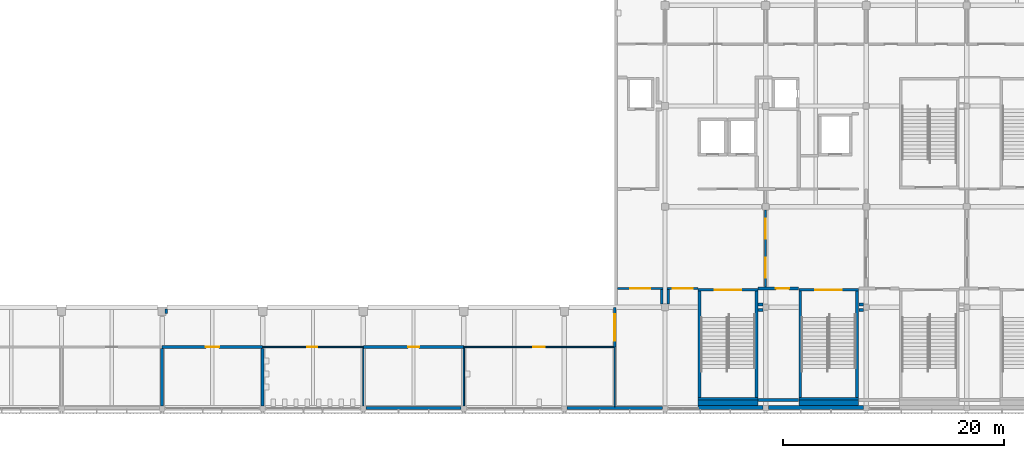
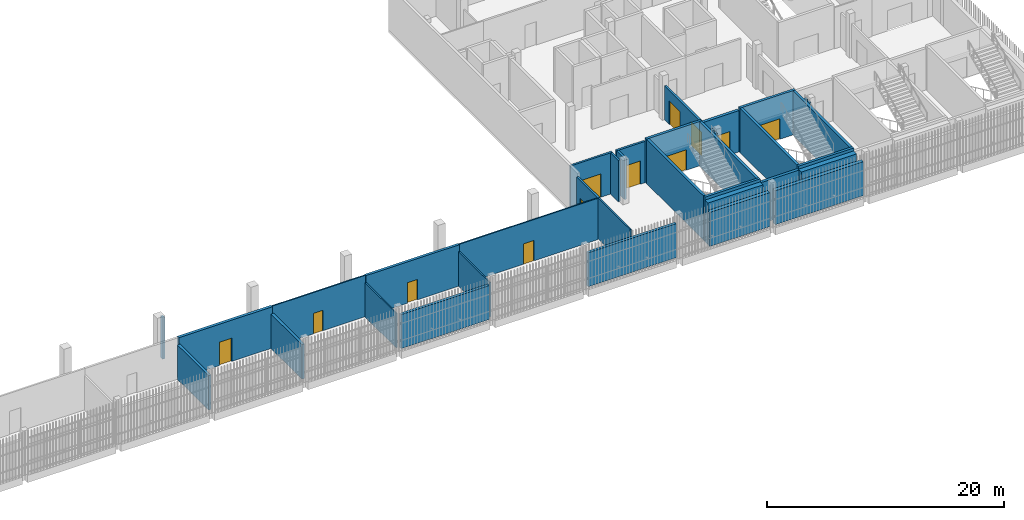
# One storey, part 70 of 124: 36 walls, 12 doors, 12 openings.
"""IFC4 building model written with IfcOpenShell, lengths in metres."""

from ifc_helpers import new_model, si_unit, direction, frame, frame_2d, origin, place, context, subcontext, project, spatial, rectangle, extrude, material, layer, layer_set, type_object, element, fill, save


model = new_model("IFC4")

# Units and contexts
model_context = context("Model", 3, precision=1e-05, world=origin(), true_north=direction((0.0, 1.0)))
body_context = subcontext(model_context, "Body", "Model", "MODEL_VIEW")
ifc_project = project(units=[si_unit("LENGTHUNIT", "METRE"), si_unit("AREAUNIT", "SQUARE_METRE"), si_unit("VOLUMEUNIT", "CUBIC_METRE"), si_unit("PLANEANGLEUNIT", "RADIAN"), si_unit("MASSUNIT", "GRAM", prefix="KILO")], contexts=[model_context])

# Site, building, storey
site_placement = place(None, origin())
site = spatial("IfcSite", under=ifc_project, at=site_placement, CompositionType="ELEMENT")
building_placement = place(site_placement, origin())
building = spatial("IfcBuilding", under=site, at=building_placement, Name="Shirokan Park Arena", CompositionType="ELEMENT")
storey_placement = place(building_placement, frame((0.0, 0.0, 20.02001953125)))
storey = spatial("IfcBuildingStorey", under=building, at=storey_placement, Name="L04", CompositionType="ELEMENT", Elevation=20.02001953125)

# Wall, opening, door
ifc_material_1 = material(Name="Plaster")
ifc_layer_1 = layer(ifc_material_1, 0.014892578125, Name="Plaster")
ifc_material_2 = material(Name="Concrete blockwork", Category="masonry")
ifc_layer_2 = layer(ifc_material_2, 0.219970703125, Name="Concrete blockwork 220")
ifc_layer_3 = layer(ifc_material_1, 0.014892578125, Name="Plaster")
ifc_layer_set_1 = layer_set([ifc_layer_1, ifc_layer_2, ifc_layer_3], Name="Plaster + Concrete blockwork 220")
wall_type_1 = type_object("IfcWallType", Name="Compartment wall 250", PredefinedType="SOLIDWALL", material=ifc_layer_set_1)
wall_1_placement = place(storey_placement, frame((91.0, 5.5, 0.0), z_axis=(0.0, 0.0, 1.0), x_axis=(-1.0, 0.0, 0.0)))
wall_1 = element("IfcWall", 1, at=wall_1_placement, inside=storey, type_object=wall_type_1, Name="Compartment wall 250 L04", PredefinedType="SOLIDWALL", context=body_context, shape_type="SweptSolid", body=[
    extrude(rectangle(XDim=9.10009765625, YDim=0.25, at=frame_2d((4.550048828125, 0.0))), origin(), (0.0, 0.0, 1.0), 4.25),
])
opening_1_placement = place(wall_1_placement, frame((4.050048828125, 0.0, 0.0)))
opening_1 = element("IfcOpeningElement", 2, at=opening_1_placement, cuts=wall_1, Name="Opening D-4065", PredefinedType="OPENING", context=body_context, shape_type="SweptSolid", body=[
    extrude(rectangle(XDim=1.0, YDim=2.10009765625, at=frame_2d((0.5, 1.050048828125))), frame((0.0, 0.135009765625, 0.0), z_axis=(0.0, -1.0, 0.0), x_axis=(1.0, 0.0, 0.0)), (0.0, 0.0, 1.0), 0.27001953125),
])
ifc_material_3 = material(Name="Timber door set, fire resisting", Category="wood")
door_type_1 = type_object("IfcDoorType", Name="Door 1000 x 2100", OperationType="SINGLE_SWING_LEFT", PredefinedType="DOOR", material=ifc_material_3)
door_1_placement = place(opening_1_placement, origin())
door_1 = element("IfcDoor", 3, at=door_1_placement, inside=storey, type_object=door_type_1, Name="Door to Operations Store 4.15 D-4065", OperationType="SINGLE_SWING_LEFT", OverallHeight=2.10009765625, OverallWidth=1.0, PredefinedType="DOOR", context=body_context, shape_type="SweptSolid", body=[
    extrude(rectangle(XDim=1.0, YDim=2.10009765625, at=frame_2d((0.5, 1.050048828125))), frame((0.0, 0.02490234375, 0.0), z_axis=(0.0, -1.0, 0.0), x_axis=(1.0, 0.0, 0.0)), (0.0, 0.0, 1.0), 0.050048828125),
])
fill(opening_1, door_1)

# Wall
ifc_material_4 = material(Name="Gypsum board")
ifc_layer_4 = layer(ifc_material_4, 0.02490234375, Name="Gypsum board, two layers")
ifc_material_5 = material(Name="Mineral wool insulation")
ifc_layer_5 = layer(ifc_material_5, 0.14990234375, Name="Mineral wool insulation")
ifc_layer_6 = layer(ifc_material_4, 0.02490234375, Name="Gypsum board, two layers")
ifc_layer_set_2 = layer_set([ifc_layer_4, ifc_layer_5, ifc_layer_6], Name="Gypsum board, two layers + Mineral wool insulation")
wall_type_2 = type_object("IfcWallType", Name="Corridor wall 200", PredefinedType="PARTITIONING", material=ifc_layer_set_2)
wall_2_placement = place(storey_placement, frame((64.074951171875, 8.550048828125, 0.0), z_axis=(0.0, 0.0, 1.0), x_axis=(0.0, 1.0, 0.0)))
element("IfcWall", 4, at=wall_2_placement, inside=storey, type_object=wall_type_2, Name="Corridor wall 200 L04", PredefinedType="PARTITIONING", context=body_context, shape_type="SweptSolid", body=[
    extrude(rectangle(XDim=0.375, YDim=0.199951171875, at=frame_2d((0.1875, 0.0))), origin(), (0.0, 0.0, 1.0), 4.25),
])

# Wall, opening, door
wall_3_placement = place(storey_placement, frame((104.64990234375, 5.5, 0.0), z_axis=(0.0, 0.0, 1.0), x_axis=(0.0, 1.0, 0.0)))
wall_3 = element("IfcWall", 5, at=wall_3_placement, inside=storey, type_object=wall_type_2, Name="Corridor wall 200 L04", PredefinedType="PARTITIONING", context=body_context, shape_type="SweptSolid", body=[
    extrude(rectangle(XDim=3.570068359375, YDim=0.199951171875, at=frame_2d((1.78515625, 0.0))), origin(), (0.0, 0.0, 1.0), 4.25),
])
opening_2_placement = place(wall_3_placement, frame((0.550048828125, 0.0, 0.0)))
opening_2 = element("IfcOpeningElement", 6, at=opening_2_placement, cuts=wall_3, Name="Opening D-4096", PredefinedType="OPENING", context=body_context, shape_type="SweptSolid", body=[
    extrude(rectangle(XDim=2.39990234375, YDim=2.39990234375, at=frame_2d((1.199951171875, 1.199951171875))), frame((0.0, 0.10986328125, 0.0), z_axis=(0.0, -1.0, 0.0), x_axis=(1.0, 0.0, 0.0)), (0.0, 0.0, 1.0), 0.219970703125),
])
ifc_material_6 = material(Name="Steel door set, fire resisting", Category="steel")
door_type_2 = type_object("IfcDoorType", Name="Double door 2400 x 2400", OperationType="DOUBLE_DOOR_SINGLE_SWING", PredefinedType="DOOR", material=ifc_material_6)
door_2_placement = place(opening_2_placement, origin())
door_2 = element("IfcDoor", 7, at=door_2_placement, inside=storey, type_object=door_type_2, Name="Door between Ring Link 2.4 and Operations Corridor 4.01 D-4096", OperationType="DOUBLE_DOOR_SINGLE_SWING", OverallHeight=2.39990234375, OverallWidth=2.39990234375, PredefinedType="DOOR", context=body_context, shape_type="SweptSolid", body=[
    extrude(rectangle(XDim=2.39990234375, YDim=2.39990234375, at=frame_2d((1.199951171875, 1.199951171875))), frame((0.0, 0.02490234375, 0.0), z_axis=(0.0, -1.0, 0.0), x_axis=(1.0, 0.0, 0.0)), (0.0, 0.0, 1.0), 0.050048828125),
])
fill(opening_2, door_2)

# Wall
wall_4_placement = place(storey_placement, frame((108.89990234375, 9.39990234375, 0.0), z_axis=(0.0, 0.0, 1.0), x_axis=(0.0, 1.0, 0.0)))
element("IfcWall", 8, at=wall_4_placement, inside=storey, type_object=wall_type_2, Name="Corridor wall 200 L04", PredefinedType="PARTITIONING", context=body_context, shape_type="SweptSolid", body=[
    extrude(rectangle(XDim=1.300048828125, YDim=0.199951171875, at=frame_2d((0.64990234375, 0.0))), origin(), (0.0, 0.0, 1.0), 4.25),
])

# Wall, opening, door
wall_5_placement = place(storey_placement, frame((109.0, 10.800048828125, 0.0), z_axis=(0.0, 0.0, 1.0), x_axis=(-1.0, 0.0, 0.0)))
wall_5 = element("IfcWall", 9, at=wall_5_placement, inside=storey, type_object=wall_type_2, Name="Corridor wall 200 L04", PredefinedType="PARTITIONING", context=body_context, shape_type="SweptSolid", body=[
    extrude(rectangle(XDim=4.10009765625, YDim=0.199951171875, at=frame_2d((2.050048828125, 0.0))), origin(), (0.0, 0.0, 1.0), 4.25),
])
opening_3_placement = place(wall_5_placement, frame((1.14990234375, 0.0, 0.0)))
opening_3 = element("IfcOpeningElement", 10, at=opening_3_placement, cuts=wall_5, Name="Opening D-4093", PredefinedType="OPENING", context=body_context, shape_type="SweptSolid", body=[
    extrude(rectangle(XDim=1.800048828125, YDim=2.39990234375, at=frame_2d((0.89990234375, 1.199951171875))), frame((0.0, 0.10986328125, 0.0), z_axis=(0.0, -1.0, 0.0), x_axis=(1.0, 0.0, 0.0)), (0.0, 0.0, 1.0), 0.219970703125),
])
ifc_material_7 = material(Name="Glazed steel door set, fire resisting", Category="steel")
door_type_3 = type_object("IfcDoorType", Name="Lift lobby door 1800 x 2400", OperationType="DOUBLE_DOOR_SINGLE_SWING", PredefinedType="DOOR", material=ifc_material_7)
door_3_placement = place(opening_3_placement, origin())
door_3 = element("IfcDoor", 11, at=door_3_placement, inside=storey, type_object=door_type_3, Name="Door between Broadcast Gallery 2.4.4 and Ring Link 2.4 D-4093", OperationType="DOUBLE_DOOR_SINGLE_SWING", OverallHeight=2.39990234375, OverallWidth=1.800048828125, PredefinedType="DOOR", context=body_context, shape_type="SweptSolid", body=[
    extrude(rectangle(XDim=1.800048828125, YDim=2.39990234375, at=frame_2d((0.89990234375, 1.199951171875))), frame((0.0, 0.02490234375, 0.0), z_axis=(0.0, -1.0, 0.0), x_axis=(1.0, 0.0, 0.0)), (0.0, 0.0, 1.0), 0.050048828125),
])
fill(opening_3, door_3)

# Wall
wall_6_placement = place(storey_placement, frame((109.5, 10.699951171875, 0.0), z_axis=(0.0, 0.0, 1.0), x_axis=(0.0, -1.0, 0.0)))
element("IfcWall", 12, at=wall_6_placement, inside=storey, type_object=wall_type_2, Name="Corridor wall 200 L04", PredefinedType="PARTITIONING", context=body_context, shape_type="SweptSolid", body=[
    extrude(rectangle(XDim=1.300048828125, YDim=0.199951171875, at=frame_2d((0.64990234375, 0.0))), origin(), (0.0, 0.0, 1.0), 4.25),
])

# Wall, opening, door
wall_7_placement = place(storey_placement, frame((112.169921875, 10.800048828125, 0.0), z_axis=(0.0, 0.0, 1.0), x_axis=(-1.0, 0.0, 0.0)))
wall_7 = element("IfcWall", 13, at=wall_7_placement, inside=storey, type_object=wall_type_2, Name="Corridor wall 200 L04", PredefinedType="PARTITIONING", context=body_context, shape_type="SweptSolid", body=[
    extrude(rectangle(XDim=2.77001953125, YDim=0.199951171875, at=frame_2d((1.385009765625, 0.0))), origin(), (0.0, 0.0, 1.0), 4.25),
])
opening_4_placement = place(wall_7_placement, frame((0.449951171875, 0.0, 0.0)))
opening_4 = element("IfcOpeningElement", 14, at=opening_4_placement, cuts=wall_7, Name="Opening D-4094", PredefinedType="OPENING", context=body_context, shape_type="SweptSolid", body=[
    extrude(rectangle(XDim=1.800048828125, YDim=2.39990234375, at=frame_2d((0.89990234375, 1.199951171875))), frame((0.0, 0.10986328125, 0.0), z_axis=(0.0, -1.0, 0.0), x_axis=(1.0, 0.0, 0.0)), (0.0, 0.0, 1.0), 0.219970703125),
])
door_4_placement = place(opening_4_placement, origin())
door_4 = element("IfcDoor", 15, at=door_4_placement, inside=storey, type_object=door_type_3, Name="Door between Broadcast Gallery 2.4.4 and Ring Link 2.4 D-4094", OperationType="DOUBLE_DOOR_SINGLE_SWING", OverallHeight=2.39990234375, OverallWidth=1.800048828125, PredefinedType="DOOR", context=body_context, shape_type="SweptSolid", body=[
    extrude(rectangle(XDim=1.800048828125, YDim=2.39990234375, at=frame_2d((0.89990234375, 1.199951171875))), frame((0.0, 0.02490234375, 0.0), z_axis=(0.0, -1.0, 0.0), x_axis=(1.0, 0.0, 0.0)), (0.0, 0.0, 1.0), 0.050048828125),
])
fill(opening_4, door_4)

# Wall, openings, doors
wall_8_placement = place(storey_placement, frame((118.300048828125, 10.9375, 0.0), z_axis=(0.0, 0.0, 1.0), x_axis=(0.0, 1.0, 0.0)))
wall_8 = element("IfcWall", 16, at=wall_8_placement, inside=storey, type_object=wall_type_2, Name="Corridor wall 200 L04", PredefinedType="PARTITIONING", context=body_context, shape_type="SweptSolid", body=[
    extrude(rectangle(XDim=6.96240234375, YDim=0.199951171875, at=frame_2d((3.481201171875, 0.0))), origin(), (0.0, 0.0, 1.0), 3.5),
])
opening_5_placement = place(wall_8_placement, frame((0.85009765625, 0.0, 0.0)))
opening_5 = element("IfcOpeningElement", 17, at=opening_5_placement, cuts=wall_8, Name="Opening D-4089", PredefinedType="OPENING", context=body_context, shape_type="SweptSolid", body=[
    extrude(rectangle(XDim=1.800048828125, YDim=2.39990234375, at=frame_2d((0.89990234375, 1.199951171875))), frame((0.0, 0.10986328125, 0.0), z_axis=(0.0, -1.0, 0.0), x_axis=(1.0, 0.0, 0.0)), (0.0, 0.0, 1.0), 0.219970703125),
])
opening_6_placement = place(wall_8_placement, frame((4.35009765625, 0.0, 0.0)))
opening_6 = element("IfcOpeningElement", 18, at=opening_6_placement, cuts=wall_8, Name="Opening D-4090", PredefinedType="OPENING", context=body_context, shape_type="SweptSolid", body=[
    extrude(rectangle(XDim=1.800048828125, YDim=2.39990234375, at=frame_2d((0.89990234375, 1.199951171875))), frame((0.0, 0.10986328125, 0.0), z_axis=(0.0, -1.0, 0.0), x_axis=(1.0, 0.0, 0.0)), (0.0, 0.0, 1.0), 0.219970703125),
])
door_5_placement = place(opening_5_placement, origin())
door_5 = element("IfcDoor", 19, at=door_5_placement, inside=storey, type_object=door_type_3, Name="Door between Stair Lobby 2.4.3 and Broadcast Gallery 2.4.4 D-4089", OperationType="DOUBLE_DOOR_SINGLE_SWING", OverallHeight=2.39990234375, OverallWidth=1.800048828125, PredefinedType="DOOR", context=body_context, shape_type="SweptSolid", body=[
    extrude(rectangle(XDim=1.800048828125, YDim=2.39990234375, at=frame_2d((0.89990234375, 1.199951171875))), frame((0.0, 0.02490234375, 0.0), z_axis=(0.0, -1.0, 0.0), x_axis=(1.0, 0.0, 0.0)), (0.0, 0.0, 1.0), 0.050048828125),
])
fill(opening_5, door_5)
door_6_placement = place(opening_6_placement, origin())
door_6 = element("IfcDoor", 20, at=door_6_placement, inside=storey, type_object=door_type_3, Name="Door between Stair Lobby 2.4.3 and Broadcast Gallery 2.4.4 D-4090", OperationType="DOUBLE_DOOR_SINGLE_SWING", OverallHeight=2.39990234375, OverallWidth=1.800048828125, PredefinedType="DOOR", context=body_context, shape_type="SweptSolid", body=[
    extrude(rectangle(XDim=1.800048828125, YDim=2.39990234375, at=frame_2d((0.89990234375, 1.199951171875))), frame((0.0, 0.02490234375, 0.0), z_axis=(0.0, -1.0, 0.0), x_axis=(1.0, 0.0, 0.0)), (0.0, 0.0, 1.0), 0.050048828125),
])
fill(opening_6, door_6)

# Walls
ifc_material_8 = material(Name="Cedar cladding")
ifc_layer_7 = layer(ifc_material_8, 0.030029296875, Name="Cedar cladding")
ifc_layer_8 = layer(ifc_material_5, 0.10009765625, Name="Mineral wool insulation")
ifc_material_9 = material(Name="Concrete C35", Category="concrete")
ifc_layer_9 = layer(ifc_material_9, 0.199951171875, Name="Concrete C35")
ifc_material_10 = material(Name="Gypsum board lining")
ifc_layer_10 = layer(ifc_material_10, 0.02001953125, Name="Gypsum board lining")
ifc_layer_set_3 = layer_set([ifc_layer_7, ifc_layer_8, ifc_layer_9, ifc_layer_10], Name="Cedar cladding + Mineral wool insulation + Concrete C35 + Gypsum board lining")
wall_type_3 = type_object("IfcWallType", Name="Insulated tower wall 350", PredefinedType="SOLIDWALL", material=ifc_layer_set_3)
wall_9_placement = place(storey_placement, frame((112.199951171875, 0.02490234375, 0.0), z_axis=(0.0, 0.0, 1.0), x_axis=(1.0, 0.0, 0.0)))
element("IfcWall", 21, at=wall_9_placement, inside=storey, type_object=wall_type_3, Name="South facade wall bay 13 L04", PredefinedType="SOLIDWALL", context=body_context, shape_type="SweptSolid", body=[
    extrude(rectangle(XDim=5.85009765625, YDim=0.35009765625, at=frame_2d((2.925048828125, 0.0))), origin(), (0.0, 0.0, 1.0), 3.5),
])
wall_10_placement = place(storey_placement, frame((118.550048828125, 0.02490234375, 0.0), z_axis=(0.0, 0.0, 1.0), x_axis=(1.0, 0.0, 0.0)))
element("IfcWall", 22, at=wall_10_placement, inside=storey, type_object=wall_type_3, Name="South facade wall bay 14 L04", PredefinedType="SOLIDWALL", context=body_context, shape_type="SweptSolid", body=[
    extrude(rectangle(XDim=8.599853515625, YDim=0.35009765625, at=frame_2d((4.2998046875, 0.0))), origin(), (0.0, 0.0, 1.0), 3.5),
])
ifc_layer_11 = layer(ifc_material_1, 0.012451171875, Name="Plaster")
ifc_layer_12 = layer(ifc_material_2, 0.25, Name="Concrete blockwork 250")
ifc_layer_13 = layer(ifc_material_1, 0.012451171875, Name="Plaster")
ifc_layer_set_4 = layer_set([ifc_layer_11, ifc_layer_12, ifc_layer_13], Name="Plaster + Concrete blockwork 250")
wall_type_4 = type_object("IfcWallType", Name="Plant room wall 275", PredefinedType="SOLIDWALL", material=ifc_layer_set_4)
for number, where, z_axis, x_axis, name in (
    (23, (63.699951171875, 5.362548828125, 0.0), (0.0, 0.0, 1.0), (0.0, -1.0, 0.0), "Plant room wall 275 L04"),
    (24, (72.800048828125, 5.362548828125, 0.0), (0.0, 0.0, 1.0), (0.0, -1.0, 0.0), "Plant room wall 275 L04"),
):
    element("IfcWall", number, at=place(storey_placement, frame(where, z_axis=z_axis, x_axis=x_axis)), inside=storey, type_object=wall_type_4, Name=name, PredefinedType="SOLIDWALL", context=body_context, shape_type="SweptSolid", body=[
        extrude(rectangle(XDim=5.212646484375, YDim=0.27490234375, at=frame_2d((2.6064453125, 0.0))), origin(), (0.0, 0.0, 1.0), 3.550048828125),
    ])

# Wall, opening, door
wall_11_placement = place(storey_placement, frame((72.800048828125, 5.5, 0.0), z_axis=(0.0, 0.0, 1.0), x_axis=(-1.0, 0.0, 0.0)))
wall_11 = element("IfcWall", 25, at=wall_11_placement, inside=storey, type_object=wall_type_4, Name="Plant room wall 275 L04", PredefinedType="SOLIDWALL", context=body_context, shape_type="SweptSolid", body=[
    extrude(rectangle(XDim=9.10009765625, YDim=0.27490234375, at=frame_2d((4.550048828125, 0.0))), origin(), (0.0, 0.0, 1.0), 4.25),
])
opening_7_placement = place(wall_11_placement, frame((3.949951171875, 0.0, 0.0)))
opening_7 = element("IfcOpeningElement", 26, at=opening_7_placement, cuts=wall_11, Name="Opening D-4063", PredefinedType="OPENING", context=body_context, shape_type="SweptSolid", body=[
    extrude(rectangle(XDim=1.199951171875, YDim=2.39990234375, at=frame_2d((0.60009765625, 1.199951171875))), frame((0.0, 0.1474609375, 0.0), z_axis=(0.0, -1.0, 0.0), x_axis=(1.0, 0.0, 0.0)), (0.0, 0.0, 1.0), 0.294921875),
])
ifc_material_11 = material(Name="Louvred steel door set, fire resisting", Category="steel")
door_type_4 = type_object("IfcDoorType", Name="Plant room door 1200 x 2400", OperationType="SINGLE_SWING_LEFT", PredefinedType="DOOR", material=ifc_material_11)
door_7_placement = place(opening_7_placement, origin())
door_7 = element("IfcDoor", 27, at=door_7_placement, inside=storey, type_object=door_type_4, Name="Door to Lighting Gallery Room 4.13 D-4063", OperationType="SINGLE_SWING_LEFT", OverallHeight=2.39990234375, OverallWidth=1.199951171875, PredefinedType="DOOR", context=body_context, shape_type="SweptSolid", body=[
    extrude(rectangle(XDim=1.199951171875, YDim=2.39990234375, at=frame_2d((0.60009765625, 1.199951171875))), frame((0.0, 0.02490234375, 0.0), z_axis=(0.0, -1.0, 0.0), x_axis=(1.0, 0.0, 0.0)), (0.0, 0.0, 1.0), 0.050048828125),
])
fill(opening_7, door_7)

# Walls
for number, where, z_axis, x_axis, name in (
    (28, (117.6298828125, 8.85009765625, 0.0), (0.0, 0.0, 1.0), (1.0, 0.0, 0.0), "Plant room wall 275 L04"),
    (29, (118.050048828125, 9.35009765625, 0.0), (0.0, 0.0, 1.0), (-1.0, 0.0, 0.0), "Plant room wall 275 L04"),
):
    element("IfcWall", number, at=place(storey_placement, frame(where, z_axis=z_axis, x_axis=x_axis)), inside=storey, type_object=wall_type_4, Name=name, PredefinedType="SOLIDWALL", context=body_context, shape_type="SweptSolid", body=[
        extrude(rectangle(XDim=0.420166015625, YDim=0.27490234375, at=frame_2d((0.2099609375, 0.0))), origin(), (0.0, 0.0, 1.0), 4.25),
    ])

# Wall, opening, door
wall_12_placement = place(storey_placement, frame((117.6298828125, 10.800048828125, 0.0), z_axis=(0.0, 0.0, 1.0), x_axis=(1.0, 0.0, 0.0)))
wall_12 = element("IfcWall", 30, at=wall_12_placement, inside=storey, type_object=wall_type_4, Name="Plant room wall 275 L04", PredefinedType="SOLIDWALL", context=body_context, shape_type="SweptSolid", body=[
    extrude(rectangle(XDim=3.64013671875, YDim=0.27490234375, at=frame_2d((1.820068359375, 0.0))), origin(), (0.0, 0.0, 1.0), 4.25),
])
opening_8_placement = place(wall_12_placement, frame((1.590087890625, 0.0, 0.0)))
opening_8 = element("IfcOpeningElement", 31, at=opening_8_placement, cuts=wall_12, Name="Opening D-4017", PredefinedType="OPENING", context=body_context, shape_type="SweptSolid", body=[
    extrude(rectangle(XDim=1.199951171875, YDim=2.39990234375, at=frame_2d((0.60009765625, 1.199951171875))), frame((0.0, 0.1474609375, 0.0), z_axis=(0.0, -1.0, 0.0), x_axis=(1.0, 0.0, 0.0)), (0.0, 0.0, 1.0), 0.294921875),
])
door_8_placement = place(opening_8_placement, origin())
door_8 = element("IfcDoor", 32, at=door_8_placement, inside=storey, type_object=door_type_4, Name="Door to Communications Room 4.22 D-4017", OperationType="SINGLE_SWING_RIGHT", OverallHeight=2.39990234375, OverallWidth=1.199951171875, PredefinedType="DOOR", context=body_context, shape_type="SweptSolid", body=[
    extrude(rectangle(XDim=1.199951171875, YDim=2.39990234375, at=frame_2d((0.60009765625, 1.199951171875))), frame((0.0, 0.02490234375, 0.0), z_axis=(0.0, -1.0, 0.0), x_axis=(1.0, 0.0, 0.0)), (0.0, 0.0, 1.0), 0.050048828125),
])
fill(opening_8, door_8)

# Walls
wall_13_placement = place(storey_placement, frame((121.27001953125, 0.699951171875, 0.0), z_axis=(0.0, 0.0, 1.0), x_axis=(-1.0, 0.0, 0.0)))
element("IfcWall", 33, at=wall_13_placement, inside=storey, type_object=wall_type_4, Name="Plant room wall 275 L04", PredefinedType="SOLIDWALL", context=body_context, shape_type="SweptSolid", body=[
    extrude(rectangle(XDim=3.64013671875, YDim=0.27490234375, at=frame_2d((1.820068359375, 0.0))), origin(), (0.0, 0.0, 1.0), 4.25),
])
for number, where, z_axis, x_axis, name in (
    (34, (126.72998046875, 8.85009765625, 0.0), (0.0, 0.0, 1.0), (1.0, 0.0, 0.0), "Plant room wall 275 L04"),
    (35, (127.14990234375, 9.35009765625, 0.0), (0.0, 0.0, 1.0), (-1.0, 0.0, 0.0), "Plant room wall 275 L04"),
):
    element("IfcWall", number, at=place(storey_placement, frame(where, z_axis=z_axis, x_axis=x_axis)), inside=storey, type_object=wall_type_4, Name=name, PredefinedType="SOLIDWALL", context=body_context, shape_type="SweptSolid", body=[
        extrude(rectangle(XDim=0.419921875, YDim=0.27490234375, at=frame_2d((0.2099609375, 0.0))), origin(), (0.0, 0.0, 1.0), 4.25),
    ])
ifc_material_12 = material(Name="Concrete C40/50 precast", Category="concrete")
ifc_layer_14 = layer(ifc_material_12, 0.10009765625, Name="Concrete C40/50 precast")
ifc_layer_15 = layer(ifc_material_5, 0.10009765625, Name="Mineral wool insulation")
ifc_layer_16 = layer(ifc_material_10, 0.050048828125, Name="Gypsum board lining")
ifc_layer_set_5 = layer_set([ifc_layer_14, ifc_layer_15, ifc_layer_16], Name="Concrete C40/50 precast + Mineral wool insulation + Gypsum board lining")
wall_type_5 = type_object("IfcWallType", Name="Precast concrete panel wall 250", PredefinedType="SOLIDWALL", material=ifc_layer_set_5)
wall_14_placement = place(storey_placement, frame((82.14990234375, -0.02490234375, 0.0), z_axis=(0.0, 0.0, 1.0), x_axis=(1.0, 0.0, 0.0)))
element("IfcWall", 36, at=wall_14_placement, inside=storey, type_object=wall_type_5, Name="South facade wall bay 10 L04", PredefinedType="SOLIDWALL", context=body_context, shape_type="SweptSolid", body=[
    extrude(rectangle(XDim=8.60009765625, YDim=0.25, at=frame_2d((4.300048828125, 0.0))), origin(), (0.0, 0.0, 1.0), 3.5),
])
wall_15_placement = place(storey_placement, frame((100.35009765625, -0.02490234375, 0.0), z_axis=(0.0, 0.0, 1.0), x_axis=(1.0, 0.0, 0.0)))
element("IfcWall", 37, at=wall_15_placement, inside=storey, type_object=wall_type_5, Name="South facade wall bay 12 L04", PredefinedType="SOLIDWALL", context=body_context, shape_type="SweptSolid", body=[
    extrude(rectangle(XDim=8.599853515625, YDim=0.25, at=frame_2d((4.2998046875, 0.0))), origin(), (0.0, 0.0, 1.0), 3.5),
])
ifc_material_13 = material(Name="Concrete C40/50", Category="concrete")
ifc_layer_17 = layer(ifc_material_13, 0.25)
ifc_layer_set_6 = layer_set([ifc_layer_17], Name="Concrete C40/50 250 mm")
wall_type_6 = type_object("IfcWallType", Name="RC shear wall 250", PredefinedType="SHEAR", material=ifc_layer_set_6)
wall_16_placement = place(storey_placement, frame((126.699951171875, 0.824951171875, 0.0), z_axis=(0.0, 0.0, 1.0), x_axis=(-1.0, 0.0, 0.0)))
element("IfcWall", 38, at=wall_16_placement, inside=storey, type_object=wall_type_6, Name="Shaft wall Exit Stair 2.C S L04", PredefinedType="SHEAR", context=body_context, shape_type="SweptSolid", body=[
    extrude(rectangle(XDim=5.39990234375, YDim=0.25, at=frame_2d((2.699951171875, 0.0))), origin(), (0.0, 0.0, 1.0), 4.550048828125),
])

# Wall, opening, door
wall_17_placement = place(storey_placement, frame((126.699951171875, 10.675048828125, 0.0), z_axis=(0.0, 0.0, 1.0), x_axis=(-1.0, 0.0, 0.0)))
wall_17 = element("IfcWall", 39, at=wall_17_placement, inside=storey, type_object=wall_type_6, Name="Shaft wall Exit Stair 2.C N L04", PredefinedType="SHEAR", context=body_context, shape_type="SweptSolid", body=[
    extrude(rectangle(XDim=5.39990234375, YDim=0.25, at=frame_2d((2.699951171875, 0.0))), origin(), (0.0, 0.0, 1.0), 4.550048828125),
])
opening_9_placement = place(wall_17_placement, frame((1.5, 0.0, 0.0)))
opening_9 = element("IfcOpeningElement", 40, at=opening_9_placement, cuts=wall_17, Name="Opening D-4132", PredefinedType="OPENING", context=body_context, shape_type="SweptSolid", body=[
    extrude(rectangle(XDim=2.39990234375, YDim=2.10009765625, at=frame_2d((1.199951171875, 1.050048828125))), frame((0.0, 0.135009765625, 0.0), z_axis=(0.0, -1.0, 0.0), x_axis=(1.0, 0.0, 0.0)), (0.0, 0.0, 1.0), 0.27001953125),
])
door_type_5 = type_object("IfcDoorType", Name="Stair door 2400 x 2100", OperationType="DOUBLE_DOOR_SINGLE_SWING", PredefinedType="DOOR", material=ifc_material_6)
door_9_placement = place(opening_9_placement, origin())
door_9 = element("IfcDoor", 41, at=door_9_placement, inside=storey, type_object=door_type_5, Name="Stair door Exit Stair 2.C D-4132", OperationType="DOUBLE_DOOR_SINGLE_SWING", OverallHeight=2.10009765625, OverallWidth=2.39990234375, PredefinedType="DOOR", context=body_context, shape_type="SweptSolid", body=[
    extrude(rectangle(XDim=2.39990234375, YDim=2.10009765625, at=frame_2d((1.199951171875, 1.050048828125))), frame((0.0, 0.02490234375, 0.0), z_axis=(0.0, -1.0, 0.0), x_axis=(1.0, 0.0, 0.0)), (0.0, 0.0, 1.0), 0.050048828125),
])
fill(opening_9, door_9)

# Walls
for number, where, z_axis, x_axis, name in (
    (42, (121.425048828125, 10.550048828125, 0.0), (0.0, 0.0, 1.0), (0.0, -1.0, 0.0), "Shaft wall Exit Stair 2.C W L04"),
    (43, (126.574951171875, 10.550048828125, 0.0), (0.0, 0.0, 1.0), (0.0, -1.0, 0.0), "Shaft wall Exit Stair 2.C E L04"),
):
    element("IfcWall", number, at=place(storey_placement, frame(where, z_axis=z_axis, x_axis=x_axis)), inside=storey, type_object=wall_type_6, Name=name, PredefinedType="SHEAR", context=body_context, shape_type="SweptSolid", body=[
        extrude(rectangle(XDim=9.60009765625, YDim=0.25, at=frame_2d((4.800048828125, 0.0))), origin(), (0.0, 0.0, 1.0), 4.550048828125),
    ])
wall_18_placement = place(storey_placement, frame((117.60009765625, 0.824951171875, 0.0), z_axis=(0.0, 0.0, 1.0), x_axis=(-1.0, 0.0, 0.0)))
element("IfcWall", 44, at=wall_18_placement, inside=storey, type_object=wall_type_6, Name="Shaft wall Exit Stair 2.D S L04", PredefinedType="SHEAR", context=body_context, shape_type="SweptSolid", body=[
    extrude(rectangle(XDim=5.400146484375, YDim=0.25, at=frame_2d((2.7001953125, 0.0))), origin(), (0.0, 0.0, 1.0), 4.550048828125),
])

# Wall, opening, door
wall_19_placement = place(storey_placement, frame((117.60009765625, 10.675048828125, 0.0), z_axis=(0.0, 0.0, 1.0), x_axis=(-1.0, 0.0, 0.0)))
wall_19 = element("IfcWall", 45, at=wall_19_placement, inside=storey, type_object=wall_type_6, Name="Shaft wall Exit Stair 2.D N L04", PredefinedType="SHEAR", context=body_context, shape_type="SweptSolid", body=[
    extrude(rectangle(XDim=5.400146484375, YDim=0.25, at=frame_2d((2.7001953125, 0.0))), origin(), (0.0, 0.0, 1.0), 4.550048828125),
])
opening_10_placement = place(wall_19_placement, frame((1.5, 0.0, 0.0)))
opening_10 = element("IfcOpeningElement", 46, at=opening_10_placement, cuts=wall_19, Name="Opening D-4133", PredefinedType="OPENING", context=body_context, shape_type="SweptSolid", body=[
    extrude(rectangle(XDim=2.39990234375, YDim=2.10009765625, at=frame_2d((1.199951171875, 1.050048828125))), frame((0.0, 0.135009765625, 0.0), z_axis=(0.0, -1.0, 0.0), x_axis=(1.0, 0.0, 0.0)), (0.0, 0.0, 1.0), 0.27001953125),
])
door_10_placement = place(opening_10_placement, origin())
door_10 = element("IfcDoor", 47, at=door_10_placement, inside=storey, type_object=door_type_5, Name="Stair door Exit Stair 2.D D-4133", OperationType="DOUBLE_DOOR_SINGLE_SWING", OverallHeight=2.10009765625, OverallWidth=2.39990234375, PredefinedType="DOOR", context=body_context, shape_type="SweptSolid", body=[
    extrude(rectangle(XDim=2.39990234375, YDim=2.10009765625, at=frame_2d((1.199951171875, 1.050048828125))), frame((0.0, 0.02490234375, 0.0), z_axis=(0.0, -1.0, 0.0), x_axis=(1.0, 0.0, 0.0)), (0.0, 0.0, 1.0), 0.050048828125),
])
fill(opening_10, door_10)

# Walls
for number, where, z_axis, x_axis, name in (
    (48, (112.324951171875, 10.550048828125, 0.0), (0.0, 0.0, 1.0), (0.0, -1.0, 0.0), "Shaft wall Exit Stair 2.D W L04"),
    (49, (117.47509765625, 10.550048828125, 0.0), (0.0, 0.0, 1.0), (0.0, -1.0, 0.0), "Shaft wall Exit Stair 2.D E L04"),
):
    element("IfcWall", number, at=place(storey_placement, frame(where, z_axis=z_axis, x_axis=x_axis)), inside=storey, type_object=wall_type_6, Name=name, PredefinedType="SHEAR", context=body_context, shape_type="SweptSolid", body=[
        extrude(rectangle(XDim=9.60009765625, YDim=0.25, at=frame_2d((4.800048828125, 0.0))), origin(), (0.0, 0.0, 1.0), 4.550048828125),
    ])
ifc_layer_18 = layer(ifc_material_9, 0.5)
ifc_layer_set_7 = layer_set([ifc_layer_18], Name="Concrete C35 500 mm")
wall_type_7 = type_object("IfcWallType", Name="Shaft infill wall 500", PredefinedType="SOLIDWALL", material=ifc_layer_set_7)
wall_20_placement = place(storey_placement, frame((121.300048828125, 0.449951171875, 0.0), z_axis=(0.0, 0.0, 1.0), x_axis=(1.0, 0.0, 0.0)))
element("IfcWall", 50, at=wall_20_placement, inside=storey, type_object=wall_type_7, Name="Shaft infill wall L04", PredefinedType="SOLIDWALL", context=body_context, shape_type="SweptSolid", body=[
    extrude(rectangle(XDim=5.39990234375, YDim=0.5, at=frame_2d((2.699951171875, 0.0))), origin(), (0.0, 0.0, 1.0), 4.25),
])
wall_21_placement = place(storey_placement, frame((112.199951171875, 0.449951171875, 0.0), z_axis=(0.0, 0.0, 1.0), x_axis=(1.0, 0.0, 0.0)))
element("IfcWall", 51, at=wall_21_placement, inside=storey, type_object=wall_type_7, Name="Shaft infill wall L04", PredefinedType="SOLIDWALL", context=body_context, shape_type="SweptSolid", body=[
    extrude(rectangle(XDim=5.400146484375, YDim=0.5, at=frame_2d((2.7001953125, 0.0))), origin(), (0.0, 0.0, 1.0), 4.25),
])
ifc_material_14 = material(Name="Ceramic tile")
ifc_layer_19 = layer(ifc_material_14, 0.010009765625, Name="Ceramic tile")
ifc_material_15 = material(Name="Cement board")
ifc_layer_20 = layer(ifc_material_15, 0.012451171875, Name="Cement board")
ifc_layer_21 = layer(ifc_material_5, 0.080078125, Name="Mineral wool insulation")
ifc_layer_22 = layer(ifc_material_15, 0.012451171875, Name="Cement board")
ifc_layer_23 = layer(ifc_material_14, 0.010009765625, Name="Ceramic tile")
ifc_layer_set_8 = layer_set([ifc_layer_19, ifc_layer_20, ifc_layer_21, ifc_layer_22, ifc_layer_23], Name="Ceramic tile + Cement board + Mineral wool insulation")
wall_type_8 = type_object("IfcWallType", Name="Wet-area wall 125", PredefinedType="PARTITIONING", material=ifc_layer_set_8)
wall_22_placement = place(storey_placement, frame((81.89990234375, 5.375, 0.0), z_axis=(0.0, 0.0, 1.0), x_axis=(0.0, -1.0, 0.0)))
element("IfcWall", 52, at=wall_22_placement, inside=storey, type_object=wall_type_8, Name="Wet-area wall 125 L04", PredefinedType="PARTITIONING", context=body_context, shape_type="SweptSolid", body=[
    extrude(rectangle(XDim=5.199951171875, YDim=0.125, at=frame_2d((2.60009765625, 0.0))), origin(), (0.0, 0.0, 1.0), 3.550048828125),
])

# Wall, opening, door
wall_23_placement = place(storey_placement, frame((81.89990234375, 5.5, 0.0), z_axis=(0.0, 0.0, 1.0), x_axis=(-1.0, 0.0, 0.0)))
wall_23 = element("IfcWall", 53, at=wall_23_placement, inside=storey, type_object=wall_type_8, Name="Wet-area wall 125 L04", PredefinedType="PARTITIONING", context=body_context, shape_type="SweptSolid", body=[
    extrude(rectangle(XDim=9.099853515625, YDim=0.125, at=frame_2d((4.5498046875, 0.0))), origin(), (0.0, 0.0, 1.0), 4.25),
])
opening_11_placement = place(wall_23_placement, frame((4.14990234375, 0.0, 0.0)))
opening_11 = element("IfcOpeningElement", 54, at=opening_11_placement, cuts=wall_23, Name="Opening D-4064", PredefinedType="OPENING", context=body_context, shape_type="SweptSolid", body=[
    extrude(rectangle(XDim=0.89990234375, YDim=2.10009765625, at=frame_2d((0.449951171875, 1.050048828125))), frame((0.0, 0.072509765625, 0.0), z_axis=(0.0, -1.0, 0.0), x_axis=(1.0, 0.0, 0.0)), (0.0, 0.0, 1.0), 0.14501953125),
])
door_type_6 = type_object("IfcDoorType", Name="Door 900 x 2100", OperationType="SINGLE_SWING_LEFT", PredefinedType="DOOR", material=ifc_material_3)
door_11_placement = place(opening_11_placement, origin())
door_11 = element("IfcDoor", 55, at=door_11_placement, inside=storey, type_object=door_type_6, Name="Door to Staff WC 4.14 D-4064", OperationType="SINGLE_SWING_LEFT", OverallHeight=2.10009765625, OverallWidth=0.89990234375, PredefinedType="DOOR", context=body_context, shape_type="SweptSolid", body=[
    extrude(rectangle(XDim=0.89990234375, YDim=2.10009765625, at=frame_2d((0.449951171875, 1.050048828125))), frame((0.0, 0.02490234375, 0.0), z_axis=(0.0, -1.0, 0.0), x_axis=(1.0, 0.0, 0.0)), (0.0, 0.0, 1.0), 0.050048828125),
])
fill(opening_11, door_11)

# Wall
wall_24_placement = place(storey_placement, frame((91.0, 5.375, 0.0), z_axis=(0.0, 0.0, 1.0), x_axis=(0.0, -1.0, 0.0)))
element("IfcWall", 56, at=wall_24_placement, inside=storey, type_object=wall_type_8, Name="Wet-area wall 125 L04", PredefinedType="PARTITIONING", context=body_context, shape_type="SweptSolid", body=[
    extrude(rectangle(XDim=5.22509765625, YDim=0.125, at=frame_2d((2.612548828125, 0.0))), origin(), (0.0, 0.0, 1.0), 3.550048828125),
])

# Wall, opening, door
wall_25_placement = place(storey_placement, frame((104.550048828125, 5.5, 0.0), z_axis=(0.0, 0.0, 1.0), x_axis=(-1.0, 0.0, 0.0)))
wall_25 = element("IfcWall", 57, at=wall_25_placement, inside=storey, type_object=wall_type_8, Name="Wet-area wall 125 L04", PredefinedType="PARTITIONING", context=body_context, shape_type="SweptSolid", body=[
    extrude(rectangle(XDim=13.550048828125, YDim=0.125, at=frame_2d((6.77490234375, 0.0))), origin(), (0.0, 0.0, 1.0), 4.25),
])
opening_12_placement = place(wall_25_placement, frame((6.25, 0.0, 0.0)))
opening_12 = element("IfcOpeningElement", 58, at=opening_12_placement, cuts=wall_25, Name="Opening D-4066", PredefinedType="OPENING", context=body_context, shape_type="SweptSolid", body=[
    extrude(rectangle(XDim=1.0, YDim=2.10009765625, at=frame_2d((0.5, 1.050048828125))), frame((0.0, 0.072509765625, 0.0), z_axis=(0.0, -1.0, 0.0), x_axis=(1.0, 0.0, 0.0)), (0.0, 0.0, 1.0), 0.14501953125),
])
door_type_7 = type_object("IfcDoorType", Name="Accessible WC door 1000 x 2100", OperationType="SINGLE_SWING_RIGHT", PredefinedType="DOOR", material=ifc_material_3)
door_12_placement = place(opening_12_placement, origin())
door_12 = element("IfcDoor", 59, at=door_12_placement, inside=storey, type_object=door_type_7, Name="Door to Accessible WC 4.16 D-4066", OperationType="SINGLE_SWING_RIGHT", OverallHeight=2.10009765625, OverallWidth=1.0, PredefinedType="DOOR", context=body_context, shape_type="SweptSolid", body=[
    extrude(rectangle(XDim=1.0, YDim=2.10009765625, at=frame_2d((0.5, 1.050048828125))), frame((0.0, 0.02490234375, 0.0), z_axis=(0.0, -1.0, 0.0), x_axis=(1.0, 0.0, 0.0)), (0.0, 0.0, 1.0), 0.050048828125),
])
fill(opening_12, door_12)

# Wall
wall_26_placement = place(storey_placement, frame((104.64990234375, 0.10009765625, 0.0), z_axis=(0.0, 0.0, 1.0), x_axis=(0.0, 1.0, 0.0)))
element("IfcWall", 60, at=wall_26_placement, inside=storey, type_object=wall_type_8, Name="Wet-area wall 125 L04", PredefinedType="PARTITIONING", context=body_context, shape_type="SweptSolid", body=[
    extrude(rectangle(XDim=5.39990234375, YDim=0.125, at=frame_2d((2.699951171875, 0.0))), origin(), (0.0, 0.0, 1.0), 4.25),
])

save(model, "model.ifc")
